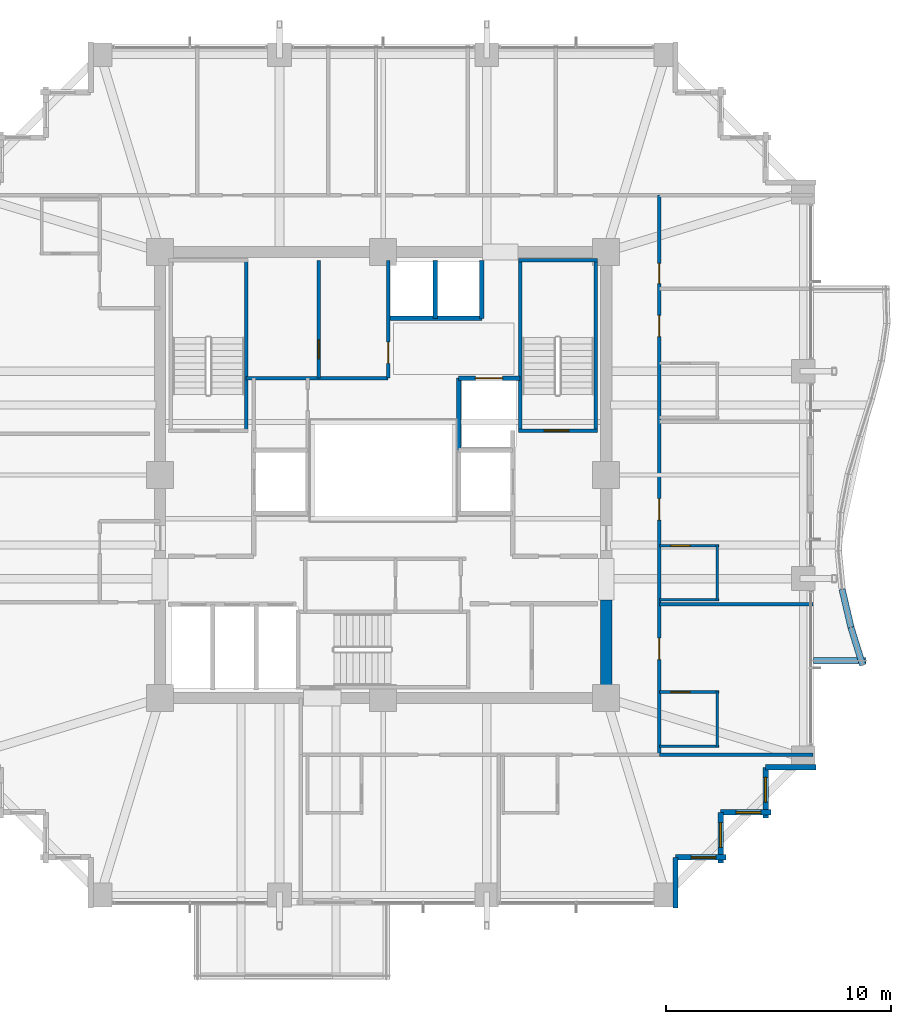
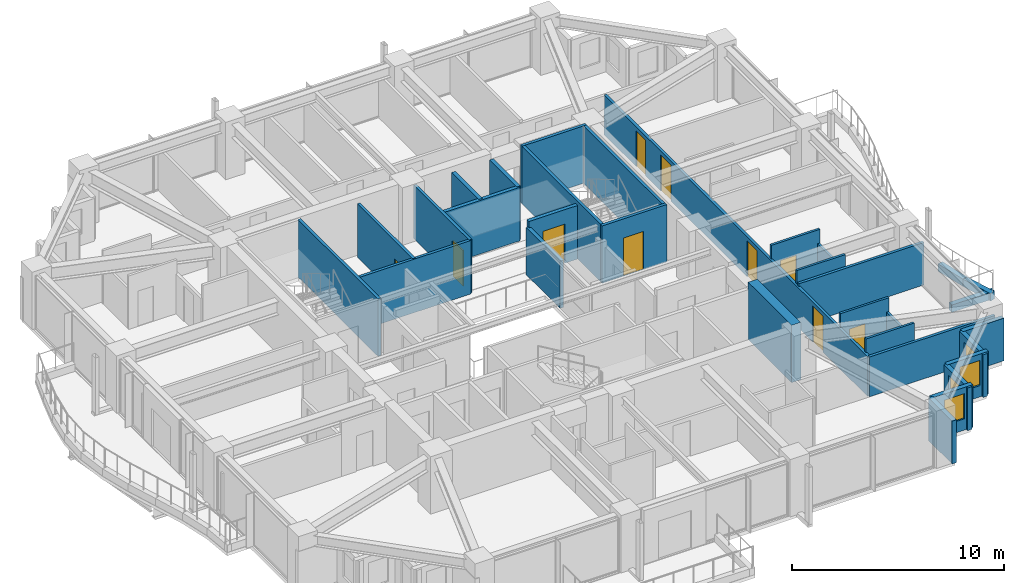
# One storey, part 33 of 38: 32 walls, 10 doors, 4 windows, 14 openings.
"""IFC4 building model written with IfcOpenShell, lengths in metres."""

from ifc_helpers import new_model, si_unit, direction, frame, frame_2d, origin, place, context, subcontext, project, spatial, rectangle, extrude, material, layer, layer_set, type_object, element, fill, save


model = new_model("IFC4")

# Units and contexts
model_context = context("Model", 3, precision=1e-05, world=origin(), true_north=direction((0.0, 1.0)))
body_context = subcontext(model_context, "Body", "Model", "MODEL_VIEW")
ifc_project = project(units=[si_unit("LENGTHUNIT", "METRE"), si_unit("AREAUNIT", "SQUARE_METRE"), si_unit("VOLUMEUNIT", "CUBIC_METRE"), si_unit("PLANEANGLEUNIT", "RADIAN"), si_unit("MASSUNIT", "GRAM", prefix="KILO")], contexts=[model_context])

# Site, building, storey
site_placement = place(None, origin())
site = spatial("IfcSite", under=ifc_project, at=site_placement, CompositionType="ELEMENT")
building_placement = place(site_placement, origin())
building = spatial("IfcBuilding", under=site, at=building_placement, Name="Kolvaren Belvedere", CompositionType="ELEMENT")
storey_placement = place(building_placement, frame((0.0, 0.0, 121.699951171875)))
storey = spatial("IfcBuildingStorey", under=building, at=storey_placement, Name="L35", CompositionType="ELEMENT", Elevation=121.699951171875)

# Walls
ifc_material_1 = material(Name="Concrete C50/60", Category="concrete")
ifc_layer_1 = layer(ifc_material_1, 0.5)
ifc_layer_set_1 = layer_set([ifc_layer_1], Name="Concrete C50/60")
wall_type_1 = type_object("IfcWallType", Name="CW-CORE-500", PredefinedType="SHEAR", material=ifc_layer_set_1)
wall_1_placement = place(storey_placement, frame((9.89990234375, -9.64990234375, 0.0), z_axis=(0.0, 0.0, 1.0), x_axis=(0.0, 1.0, 0.0)))
element("IfcWall", 1, at=wall_1_placement, inside=storey, type_object=wall_type_1, Name="L35 East Core Shear Wall 1", PredefinedType="SHEAR", context=body_context, shape_type="SweptSolid", body=[
    extrude(rectangle(XDim=4.099853515625, YDim=0.5, at=frame_2d((2.0498046875, 0.0))), origin(), (0.0, 0.0, 1.0), 3.300048828125),
])
ifc_material_2 = material(Name="Concrete C50/60", Category="concrete")
ifc_layer_2 = layer(ifc_material_2, 0.159912109375)
ifc_layer_set_2 = layer_set([ifc_layer_2], Name="Concrete C50/60")
wall_type_2 = type_object("IfcWallType", Name="CW-STAIR-160", PredefinedType="SHEAR", material=ifc_layer_set_2)
wall_2_placement = place(storey_placement, frame((-6.080078125, 1.969970703125, 0.0), z_axis=(0.0, 0.0, 1.0), x_axis=(0.0, 1.0, 0.0)))
element("IfcWall", 2, at=wall_2_placement, inside=storey, type_object=wall_type_2, Name="L35 Stair ST-1 East Shear Wall", PredefinedType="SHEAR", context=body_context, shape_type="SweptSolid", body=[
    extrude(rectangle(XDim=7.56005859375, YDim=0.159912109375, at=frame_2d((3.780029296875, 0.0))), origin(), (0.0, 0.0, 1.0), 3.300048828125),
])

# Wall, opening, door
wall_3_placement = place(storey_placement, frame((6.0, 1.969970703125, 0.0), z_axis=(0.0, 0.0, 1.0), x_axis=(1.0, 0.0, 0.0)))
wall_3 = element("IfcWall", 3, at=wall_3_placement, inside=storey, type_object=wall_type_2, Name="L35 Stair ST-2 South Shear Wall", PredefinedType="SHEAR", context=body_context, shape_type="SweptSolid", body=[
    extrude(rectangle(XDim=3.52001953125, YDim=0.159912109375, at=frame_2d((1.760009765625, 0.0))), origin(), (0.0, 0.0, 1.0), 3.300048828125),
])
opening_1_placement = place(wall_3_placement, frame((1.14990234375, 0.0, 0.0)))
opening_1 = element("IfcOpeningElement", 4, at=opening_1_placement, cuts=wall_3, Name="Opening D-FD90", PredefinedType="OPENING", context=body_context, shape_type="SweptSolid", body=[
    extrude(rectangle(XDim=1.10009765625, YDim=2.199951171875, at=frame_2d((0.550048828125, 1.10009765625))), frame((0.0, 0.08984375, 0.0), z_axis=(0.0, -1.0, 0.0), x_axis=(1.0, 0.0, 0.0)), (0.0, 0.0, 1.0), 0.179931640625),
])
ifc_material_3 = material(Name="Painted hollow stainless steel", Category="steel")
door_type_1 = type_object("IfcDoorType", Name="DR-FD90-1100", OperationType="NOTDEFINED", PredefinedType="DOOR", material=ifc_material_3)
door_1_placement = place(opening_1_placement, origin())
door_1 = element("IfcDoor", 5, at=door_1_placement, inside=storey, type_object=door_type_1, Name="L35 Stair ST-2 Fire Door", OperationType="SINGLE_SWING_RIGHT", OverallHeight=2.199951171875, OverallWidth=1.10009765625, PredefinedType="DOOR", context=body_context, shape_type="SweptSolid", body=[
    extrude(rectangle(XDim=1.10009765625, YDim=2.199951171875, at=frame_2d((0.550048828125, 1.10009765625))), frame((0.0, 0.02490234375, 0.0), z_axis=(0.0, -1.0, 0.0), x_axis=(1.0, 0.0, 0.0)), (0.0, 0.0, 1.0), 0.050048828125),
])
fill(opening_1, door_1)

# Walls
wall_4_placement = place(storey_placement, frame((6.0, 9.530029296875, 0.0), z_axis=(0.0, 0.0, 1.0), x_axis=(1.0, 0.0, 0.0)))
element("IfcWall", 6, at=wall_4_placement, inside=storey, type_object=wall_type_2, Name="L35 Stair ST-2 North Shear Wall", PredefinedType="SHEAR", context=body_context, shape_type="SweptSolid", body=[
    extrude(rectangle(XDim=3.52001953125, YDim=0.159912109375, at=frame_2d((1.760009765625, 0.0))), origin(), (0.0, 0.0, 1.0), 3.300048828125),
])
for number, where, z_axis, x_axis, name in (
    (7, (6.080078125, 1.969970703125, 0.0), (0.0, 0.0, 1.0), (0.0, 1.0, 0.0), "L35 Stair ST-2 West Shear Wall"),
    (8, (9.429931640625, 1.969970703125, 0.0), (0.0, 0.0, 1.0), (0.0, 1.0, 0.0), "L35 Stair ST-2 East Shear Wall"),
):
    element("IfcWall", number, at=place(storey_placement, frame(where, z_axis=z_axis, x_axis=x_axis)), inside=storey, type_object=wall_type_2, Name=name, PredefinedType="SHEAR", context=body_context, shape_type="SweptSolid", body=[
        extrude(rectangle(XDim=7.56005859375, YDim=0.159912109375, at=frame_2d((3.780029296875, 0.0))), origin(), (0.0, 0.0, 1.0), 3.300048828125),
    ])

# Wall, openings, doors
ifc_material_4 = material(Name="Gypsum fire-rated partition assembly", Category="gypsum")
ifc_layer_3 = layer(ifc_material_4, 0.14990234375)
ifc_layer_set_3 = layer_set([ifc_layer_3], Name="Gypsum fire-rated partition assembly")
wall_type_3 = type_object("IfcWallType", Name="WL-CORR-150", PredefinedType="PARTITIONING", material=ifc_layer_set_3)
wall_5_placement = place(storey_placement, frame((12.260009765625, -12.419921875, 0.0), z_axis=(0.0, 0.0, 1.0), x_axis=(0.0, 1.0, 0.0)))
wall_5 = element("IfcWall", 9, at=wall_5_placement, inside=storey, type_object=wall_type_3, Name="L35 East Corridor Wall", PredefinedType="PARTITIONING", context=body_context, shape_type="SweptSolid", body=[
    extrude(rectangle(XDim=24.83984375, YDim=0.14990234375, at=frame_2d((12.419921875, 0.0))), origin(), (0.0, 0.0, 1.0), 2.2919921875),
])
opening_2_placement = place(wall_5_placement, frame((4.223876953125, 0.0, 0.0)))
opening_2 = element("IfcOpeningElement", 10, at=opening_2_placement, cuts=wall_5, Name="Opening D-FD60", PredefinedType="OPENING", context=body_context, shape_type="SweptSolid", body=[
    extrude(rectangle(XDim=0.949951171875, YDim=2.06005859375, at=frame_2d((0.47509765625, 1.030029296875))), frame((0.0, 0.0849609375, 0.0), z_axis=(0.0, -1.0, 0.0), x_axis=(1.0, 0.0, 0.0)), (0.0, 0.0, 1.0), 0.169921875),
])
opening_3_placement = place(wall_5_placement, frame((10.41748046875, 0.0, 0.0)))
opening_3 = element("IfcOpeningElement", 11, at=opening_3_placement, cuts=wall_5, Name="Opening D-FD60", PredefinedType="OPENING", context=body_context, shape_type="SweptSolid", body=[
    extrude(rectangle(XDim=0.949951171875, YDim=2.06005859375, at=frame_2d((0.47509765625, 1.030029296875))), frame((0.0, 0.0849609375, 0.0), z_axis=(0.0, -1.0, 0.0), x_axis=(1.0, 0.0, 0.0)), (0.0, 0.0, 1.0), 0.169921875),
])
opening_4_placement = place(wall_5_placement, frame((18.5556640625, 0.0, 0.0)))
opening_4 = element("IfcOpeningElement", 12, at=opening_4_placement, cuts=wall_5, Name="Opening D-FD60", PredefinedType="OPENING", context=body_context, shape_type="SweptSolid", body=[
    extrude(rectangle(XDim=0.949951171875, YDim=2.06005859375, at=frame_2d((0.47509765625, 1.030029296875))), frame((0.0, 0.0849609375, 0.0), z_axis=(0.0, -1.0, 0.0), x_axis=(1.0, 0.0, 0.0)), (0.0, 0.0, 1.0), 0.169921875),
])
opening_5_placement = place(wall_5_placement, frame((20.91552734375, 0.0, 0.0)))
opening_5 = element("IfcOpeningElement", 13, at=opening_5_placement, cuts=wall_5, Name="Opening D-INT90", PredefinedType="OPENING", context=body_context, shape_type="SweptSolid", body=[
    extrude(rectangle(XDim=0.89990234375, YDim=2.06005859375, at=frame_2d((0.449951171875, 1.030029296875))), frame((0.0, 0.0849609375, 0.0), z_axis=(0.0, -1.0, 0.0), x_axis=(1.0, 0.0, 0.0)), (0.0, 0.0, 1.0), 0.169921875),
])
ifc_material_5 = material(Name="Acoustic white-oak fire door leaf", Category="timber")
door_type_2 = type_object("IfcDoorType", Name="DR-FD60-950", OperationType="NOTDEFINED", PredefinedType="DOOR", material=ifc_material_5)
door_2_placement = place(opening_2_placement, origin())
door_2 = element("IfcDoor", 14, at=door_2_placement, inside=storey, type_object=door_type_2, Name="L35 Botanical Hospitality Suite 3505 Entry Door", OperationType="SINGLE_SWING_LEFT", OverallHeight=2.06005859375, OverallWidth=0.949951171875, PredefinedType="DOOR", context=body_context, shape_type="SweptSolid", body=[
    extrude(rectangle(XDim=0.949951171875, YDim=2.06005859375, at=frame_2d((0.47509765625, 1.030029296875))), frame((0.0, 0.02490234375, 0.0), z_axis=(0.0, -1.0, 0.0), x_axis=(1.0, 0.0, 0.0)), (0.0, 0.0, 1.0), 0.050048828125),
])
fill(opening_2, door_2)
door_3_placement = place(opening_3_placement, origin())
door_3 = element("IfcDoor", 15, at=door_3_placement, inside=storey, type_object=door_type_2, Name="L35 King Guest Room 3506 Entry Door", OperationType="SINGLE_SWING_LEFT", OverallHeight=2.06005859375, OverallWidth=0.949951171875, PredefinedType="DOOR", context=body_context, shape_type="SweptSolid", body=[
    extrude(rectangle(XDim=0.949951171875, YDim=2.06005859375, at=frame_2d((0.47509765625, 1.030029296875))), frame((0.0, 0.02490234375, 0.0), z_axis=(0.0, -1.0, 0.0), x_axis=(1.0, 0.0, 0.0)), (0.0, 0.0, 1.0), 0.050048828125),
])
fill(opening_3, door_3)
door_4_placement = place(opening_4_placement, origin())
door_4 = element("IfcDoor", 16, at=door_4_placement, inside=storey, type_object=door_type_2, Name="L35 Botanical Hospitality Suite 3507 Entry Door", OperationType="SINGLE_SWING_LEFT", OverallHeight=2.06005859375, OverallWidth=0.949951171875, PredefinedType="DOOR", context=body_context, shape_type="SweptSolid", body=[
    extrude(rectangle(XDim=0.949951171875, YDim=2.06005859375, at=frame_2d((0.47509765625, 1.030029296875))), frame((0.0, 0.02490234375, 0.0), z_axis=(0.0, -1.0, 0.0), x_axis=(1.0, 0.0, 0.0)), (0.0, 0.0, 1.0), 0.050048828125),
])
fill(opening_4, door_4)
ifc_material_6 = material(Name="Stained Pacific white oak", Category="timber")
door_type_3 = type_object("IfcDoorType", Name="DR-INT-900", OperationType="NOTDEFINED", PredefinedType="DOOR", material=ifc_material_6)
door_5_placement = place(opening_5_placement, origin())
door_5 = element("IfcDoor", 17, at=door_5_placement, inside=storey, type_object=door_type_3, Name="L35 Lounge 3508 Door", OperationType="SINGLE_SWING_RIGHT", OverallHeight=2.06005859375, OverallWidth=0.89990234375, PredefinedType="DOOR", context=body_context, shape_type="SweptSolid", body=[
    extrude(rectangle(XDim=0.89990234375, YDim=2.06005859375, at=frame_2d((0.449951171875, 1.030029296875))), frame((0.0, 0.02490234375, 0.0), z_axis=(0.0, -1.0, 0.0), x_axis=(1.0, 0.0, 0.0)), (0.0, 0.0, 1.0), 0.050048828125),
])
fill(opening_5, door_5)

# Wall
ifc_material_7 = material(Name="Insulated pale-metal facade wall assembly", Category="aluminium")
ifc_layer_4 = layer(ifc_material_7, 0.239990234375)
ifc_layer_set_4 = layer_set([ifc_layer_4], Name="Insulated pale-metal facade wall assembly")
wall_type_4 = type_object("IfcWallType", Name="WL-EXT-240", PredefinedType="STANDARD", material=ifc_layer_set_4)
wall_6_placement = place(storey_placement, frame((12.97998046875, -16.97998046875, 0.0), z_axis=(0.0, 0.0, 1.0), x_axis=(0.0, -1.0, 0.0)))
element("IfcWall", 18, at=wall_6_placement, inside=storey, type_object=wall_type_4, Name="L35 Serrated Corner Facade Wall 2", PredefinedType="STANDARD", context=body_context, shape_type="SweptSolid", body=[
    extrude(rectangle(XDim=2.239990234375, YDim=0.239990234375, at=frame_2d((1.1201171875, 0.0))), origin(), (0.0, 0.0, 1.0), 2.458984375),
])

# Wall, opening, window
wall_7_placement = place(storey_placement, frame((15.219970703125, -16.97998046875, 0.0), z_axis=(0.0, 0.0, 1.0), x_axis=(-1.0, 0.0, 0.0)))
wall_7 = element("IfcWall", 19, at=wall_7_placement, inside=storey, type_object=wall_type_4, Name="L35 Serrated Corner Facade Wall 3", PredefinedType="STANDARD", context=body_context, shape_type="SweptSolid", body=[
    extrude(rectangle(XDim=2.239990234375, YDim=0.239990234375, at=frame_2d((1.1201171875, 0.0))), origin(), (0.0, 0.0, 1.0), 2.458984375),
])
opening_6_placement = place(wall_7_placement, frame((0.449951171875, 0.0, 0.64990234375)))
opening_6 = element("IfcOpeningElement", 20, at=opening_6_placement, cuts=wall_7, Name="Opening W-1100", PredefinedType="OPENING", context=body_context, shape_type="SweptSolid", body=[
    extrude(rectangle(XDim=1.10009765625, YDim=1.449951171875, at=frame_2d((0.550048828125, 0.72509765625))), frame((0.0, 0.1298828125, 0.0), z_axis=(0.0, -1.0, 0.0), x_axis=(1.0, 0.0, 0.0)), (0.0, 0.0, 1.0), 0.260009765625),
])
ifc_material_8 = material(Name="Low-iron triple insulated glass", Category="glass")
window_type = type_object("IfcWindowType", Name="WN-CORN-1100", PartitioningType="SINGLE_PANEL", PredefinedType="WINDOW", material=ifc_material_8)
window_1_placement = place(opening_6_placement, origin())
window_1 = element("IfcWindow", 21, at=window_1_placement, inside=storey, type_object=window_type, Name="L35 Serrated Corner Vision Window 3", OverallHeight=1.449951171875, OverallWidth=1.10009765625, PartitioningType="SINGLE_PANEL", PredefinedType="WINDOW", context=body_context, shape_type="SweptSolid", body=[
    extrude(rectangle(XDim=1.10009765625, YDim=1.449951171875, at=frame_2d((0.550048828125, 0.72509765625))), frame((0.0, 0.030029296875, 0.0), z_axis=(0.0, -1.0, 0.0), x_axis=(1.0, 0.0, 0.0)), (0.0, 0.0, 1.0), 0.06005859375),
])
fill(opening_6, window_1)

wall_8_placement = place(storey_placement, frame((14.97998046875, -14.97998046875, 0.0), z_axis=(0.0, 0.0, 1.0), x_axis=(0.0, -1.0, 0.0)))
wall_8 = element("IfcWall", 22, at=wall_8_placement, inside=storey, type_object=wall_type_4, Name="L35 Serrated Corner Facade Wall 4", PredefinedType="STANDARD", context=body_context, shape_type="SweptSolid", body=[
    extrude(rectangle(XDim=2.239990234375, YDim=0.239990234375, at=frame_2d((1.1201171875, 0.0))), origin(), (0.0, 0.0, 1.0), 2.458984375),
])
opening_7_placement = place(wall_8_placement, frame((0.449951171875, 0.0, 0.64990234375)))
opening_7 = element("IfcOpeningElement", 23, at=opening_7_placement, cuts=wall_8, Name="Opening W-1100", PredefinedType="OPENING", context=body_context, shape_type="SweptSolid", body=[
    extrude(rectangle(XDim=1.10009765625, YDim=1.449951171875, at=frame_2d((0.550048828125, 0.72509765625))), frame((0.0, 0.1298828125, 0.0), z_axis=(0.0, -1.0, 0.0), x_axis=(1.0, 0.0, 0.0)), (0.0, 0.0, 1.0), 0.260009765625),
])
window_2_placement = place(opening_7_placement, origin())
window_2 = element("IfcWindow", 24, at=window_2_placement, inside=storey, type_object=window_type, Name="L35 Serrated Corner Vision Window 4", OverallHeight=1.449951171875, OverallWidth=1.10009765625, PartitioningType="SINGLE_PANEL", PredefinedType="WINDOW", context=body_context, shape_type="SweptSolid", body=[
    extrude(rectangle(XDim=1.10009765625, YDim=1.449951171875, at=frame_2d((0.550048828125, 0.72509765625))), frame((0.0, 0.030029296875, 0.0), z_axis=(0.0, -1.0, 0.0), x_axis=(1.0, 0.0, 0.0)), (0.0, 0.0, 1.0), 0.06005859375),
])
fill(opening_7, window_2)

wall_9_placement = place(storey_placement, frame((17.219970703125, -14.97998046875, 0.0), z_axis=(0.0, 0.0, 1.0), x_axis=(-1.0, 0.0, 0.0)))
wall_9 = element("IfcWall", 25, at=wall_9_placement, inside=storey, type_object=wall_type_4, Name="L35 Serrated Corner Facade Wall 5", PredefinedType="STANDARD", context=body_context, shape_type="SweptSolid", body=[
    extrude(rectangle(XDim=2.239990234375, YDim=0.239990234375, at=frame_2d((1.1201171875, 0.0))), origin(), (0.0, 0.0, 1.0), 2.458984375),
])
opening_8_placement = place(wall_9_placement, frame((0.449951171875, 0.0, 0.64990234375)))
opening_8 = element("IfcOpeningElement", 26, at=opening_8_placement, cuts=wall_9, Name="Opening W-1100", PredefinedType="OPENING", context=body_context, shape_type="SweptSolid", body=[
    extrude(rectangle(XDim=1.10009765625, YDim=1.449951171875, at=frame_2d((0.550048828125, 0.72509765625))), frame((0.0, 0.1298828125, 0.0), z_axis=(0.0, -1.0, 0.0), x_axis=(1.0, 0.0, 0.0)), (0.0, 0.0, 1.0), 0.260009765625),
])
window_3_placement = place(opening_8_placement, origin())
window_3 = element("IfcWindow", 27, at=window_3_placement, inside=storey, type_object=window_type, Name="L35 Serrated Corner Vision Window 5", OverallHeight=1.449951171875, OverallWidth=1.10009765625, PartitioningType="SINGLE_PANEL", PredefinedType="WINDOW", context=body_context, shape_type="SweptSolid", body=[
    extrude(rectangle(XDim=1.10009765625, YDim=1.449951171875, at=frame_2d((0.550048828125, 0.72509765625))), frame((0.0, 0.030029296875, 0.0), z_axis=(0.0, -1.0, 0.0), x_axis=(1.0, 0.0, 0.0)), (0.0, 0.0, 1.0), 0.06005859375),
])
fill(opening_8, window_3)

wall_10_placement = place(storey_placement, frame((16.97998046875, -12.97998046875, 0.0), z_axis=(0.0, 0.0, 1.0), x_axis=(0.0, -1.0, 0.0)))
wall_10 = element("IfcWall", 28, at=wall_10_placement, inside=storey, type_object=wall_type_4, Name="L35 Serrated Corner Facade Wall 6", PredefinedType="STANDARD", context=body_context, shape_type="SweptSolid", body=[
    extrude(rectangle(XDim=2.239990234375, YDim=0.239990234375, at=frame_2d((1.1201171875, 0.0))), origin(), (0.0, 0.0, 1.0), 2.458984375),
])
opening_9_placement = place(wall_10_placement, frame((0.449951171875, 0.0, 0.64990234375)))
opening_9 = element("IfcOpeningElement", 29, at=opening_9_placement, cuts=wall_10, Name="Opening W-1100", PredefinedType="OPENING", context=body_context, shape_type="SweptSolid", body=[
    extrude(rectangle(XDim=1.10009765625, YDim=1.449951171875, at=frame_2d((0.550048828125, 0.72509765625))), frame((0.0, 0.1298828125, 0.0), z_axis=(0.0, -1.0, 0.0), x_axis=(1.0, 0.0, 0.0)), (0.0, 0.0, 1.0), 0.260009765625),
])
window_4_placement = place(opening_9_placement, origin())
window_4 = element("IfcWindow", 30, at=window_4_placement, inside=storey, type_object=window_type, Name="L35 Serrated Corner Vision Window 6", OverallHeight=1.449951171875, OverallWidth=1.10009765625, PartitioningType="SINGLE_PANEL", PredefinedType="WINDOW", context=body_context, shape_type="SweptSolid", body=[
    extrude(rectangle(XDim=1.10009765625, YDim=1.449951171875, at=frame_2d((0.550048828125, 0.72509765625))), frame((0.0, 0.030029296875, 0.0), z_axis=(0.0, -1.0, 0.0), x_axis=(1.0, 0.0, 0.0)), (0.0, 0.0, 1.0), 0.06005859375),
])
fill(opening_9, window_4)

# Walls
wall_11_placement = place(storey_placement, frame((19.219970703125, -12.97998046875, 0.0), z_axis=(0.0, 0.0, 1.0), x_axis=(-1.0, 0.0, 0.0)))
element("IfcWall", 31, at=wall_11_placement, inside=storey, type_object=wall_type_4, Name="L35 Serrated Corner Facade Wall 7", PredefinedType="STANDARD", context=body_context, shape_type="SweptSolid", body=[
    extrude(rectangle(XDim=2.239990234375, YDim=0.239990234375, at=frame_2d((1.1201171875, 0.0))), origin(), (0.0, 0.0, 1.0), 2.458984375),
])
ifc_material_9 = material(Name="Gypsum acoustic partition assembly", Category="gypsum")
ifc_layer_5 = layer(ifc_material_9, 0.14990234375)
ifc_layer_set_5 = layer_set([ifc_layer_5], Name="Gypsum acoustic partition assembly")
wall_type_5 = type_object("IfcWallType", Name="WL-PART-150", PredefinedType="PARTITIONING", material=ifc_layer_set_5)
wall_12_placement = place(storey_placement, frame((-6.080078125, 4.300048828125, 0.0), z_axis=(0.0, 0.0, 1.0), x_axis=(1.0, 0.0, 0.0)))
element("IfcWall", 32, at=wall_12_placement, inside=storey, type_object=wall_type_5, Name="L35 Reclaimed Salon South Wall", PredefinedType="PARTITIONING", context=body_context, shape_type="SweptSolid", body=[
    extrude(rectangle(XDim=6.300048828125, YDim=0.14990234375, at=frame_2d((3.14990234375, 0.0))), origin(), (0.0, 0.0, 1.0), 3.080078125),
])

# Wall, opening, door
wall_13_placement = place(storey_placement, frame((0.219970703125, 4.300048828125, 0.0), z_axis=(0.0, 0.0, 1.0), x_axis=(0.0, 1.0, 0.0)))
wall_13 = element("IfcWall", 33, at=wall_13_placement, inside=storey, type_object=wall_type_5, Name="L35 Reclaimed Salon East Wall", PredefinedType="PARTITIONING", context=body_context, shape_type="SweptSolid", body=[
    extrude(rectangle(XDim=5.219970703125, YDim=0.14990234375, at=frame_2d((2.60986328125, 0.0))), origin(), (0.0, 0.0, 1.0), 3.080078125),
])
opening_10_placement = place(wall_13_placement, frame((0.64990234375, 0.0, 0.0)))
opening_10 = element("IfcOpeningElement", 34, at=opening_10_placement, cuts=wall_13, Name="Opening D-INT95", PredefinedType="OPENING", context=body_context, shape_type="SweptSolid", body=[
    extrude(rectangle(XDim=0.949951171875, YDim=2.06005859375, at=frame_2d((0.47509765625, 1.030029296875))), frame((0.0, 0.0849609375, 0.0), z_axis=(0.0, -1.0, 0.0), x_axis=(1.0, 0.0, 0.0)), (0.0, 0.0, 1.0), 0.169921875),
])
ifc_material_10 = material(Name="Stained Pacific white oak", Category="timber")
door_type_4 = type_object("IfcDoorType", Name="DR-INT-950", OperationType="NOTDEFINED", PredefinedType="DOOR", material=ifc_material_10)
door_6_placement = place(opening_10_placement, origin())
door_6 = element("IfcDoor", 35, at=door_6_placement, inside=storey, type_object=door_type_4, Name="L35 Sky Boardroom Door", OperationType="SINGLE_SWING_LEFT", OverallHeight=2.06005859375, OverallWidth=0.949951171875, PredefinedType="DOOR", context=body_context, shape_type="SweptSolid", body=[
    extrude(rectangle(XDim=0.949951171875, YDim=2.06005859375, at=frame_2d((0.47509765625, 1.030029296875))), frame((0.0, 0.02490234375, 0.0), z_axis=(0.0, -1.0, 0.0), x_axis=(1.0, 0.0, 0.0)), (0.0, 0.0, 1.0), 0.050048828125),
])
fill(opening_10, door_6)

wall_14_placement = place(storey_placement, frame((-2.85009765625, 4.300048828125, 0.0), z_axis=(0.0, 0.0, 1.0), x_axis=(0.0, 1.0, 0.0)))
wall_14 = element("IfcWall", 36, at=wall_14_placement, inside=storey, type_object=wall_type_5, Name="L35 Reclaimed Salon Divider", PredefinedType="PARTITIONING", context=body_context, shape_type="SweptSolid", body=[
    extrude(rectangle(XDim=5.219970703125, YDim=0.14990234375, at=frame_2d((2.60986328125, 0.0))), origin(), (0.0, 0.0, 1.0), 3.080078125),
])
opening_11_placement = place(wall_14_placement, frame((0.85009765625, 0.0, 0.0)))
opening_11 = element("IfcOpeningElement", 37, at=opening_11_placement, cuts=wall_14, Name="Opening D-INT85", PredefinedType="OPENING", context=body_context, shape_type="SweptSolid", body=[
    extrude(rectangle(XDim=0.85009765625, YDim=2.030029296875, at=frame_2d((0.425048828125, 1.01513671875))), frame((0.0, 0.0849609375, 0.0), z_axis=(0.0, -1.0, 0.0), x_axis=(1.0, 0.0, 0.0)), (0.0, 0.0, 1.0), 0.169921875),
])
ifc_material_11 = material(Name="Stained Pacific white oak", Category="timber")
door_type_5 = type_object("IfcDoorType", Name="DR-INT-850", OperationType="NOTDEFINED", PredefinedType="DOOR", material=ifc_material_11)
door_7_placement = place(opening_11_placement, origin())
door_7 = element("IfcDoor", 38, at=door_7_placement, inside=storey, type_object=door_type_5, Name="L35 Beverage Pantry Door", OperationType="SINGLE_SWING_RIGHT", OverallHeight=2.030029296875, OverallWidth=0.85009765625, PredefinedType="DOOR", context=body_context, shape_type="SweptSolid", body=[
    extrude(rectangle(XDim=0.85009765625, YDim=2.030029296875, at=frame_2d((0.425048828125, 1.01513671875))), frame((0.0, 0.02490234375, 0.0), z_axis=(0.0, -1.0, 0.0), x_axis=(1.0, 0.0, 0.0)), (0.0, 0.0, 1.0), 0.050048828125),
])
fill(opening_11, door_7)

# Walls
wall_15_placement = place(storey_placement, frame((12.260009765625, -12.419921875, 0.0), z_axis=(0.0, 0.0, 1.0), x_axis=(1.0, 0.0, 0.0)))
element("IfcWall", 39, at=wall_15_placement, inside=storey, type_object=wall_type_5, Name="L35 Wing Divider PW-L35-QSE", PredefinedType="PARTITIONING", context=body_context, shape_type="SweptSolid", body=[
    extrude(rectangle(XDim=6.820068359375, YDim=0.14990234375, at=frame_2d((3.41015625, 0.0))), origin(), (0.0, 0.0, 1.0), 2.2919921875),
])
wall_16_placement = place(storey_placement, frame((12.260009765625, -5.739990234375, 0.0), z_axis=(0.0, 0.0, 1.0), x_axis=(1.0, 0.0, 0.0)))
element("IfcWall", 40, at=wall_16_placement, inside=storey, type_object=wall_type_5, Name="L35 East Suite Demising Wall 1", PredefinedType="PARTITIONING", context=body_context, shape_type="SweptSolid", body=[
    extrude(rectangle(XDim=6.820068359375, YDim=0.14990234375, at=frame_2d((3.41015625, 0.0))), origin(), (0.0, 0.0, 1.0), 2.448974609375),
])
ifc_material_12 = material(Name="Precast concrete C40/50", Category="concrete")
ifc_layer_6 = layer(ifc_material_12, 0.300048828125)
ifc_layer_set_6 = layer_set([ifc_layer_6], Name="Precast concrete C40/50")
wall_type_6 = type_object("IfcWallType", Name="WL-PLANTER-300", PredefinedType="PARAPET", material=ifc_layer_set_6)
wall_17_placement = place(storey_placement, frame((21.287109375, -8.447265625, -0.0400390625), z_axis=(0.0, 0.0, 1.0), x_axis=(-0.295831524561, 0.95524013163, 0.0)))
element("IfcWall", 41, at=wall_17_placement, inside=storey, type_object=wall_type_6, Name="L35 Precast Structural Planter Wall BAL-E-1", PredefinedType="PARAPET", context=body_context, shape_type="SweptSolid", body=[
    extrude(rectangle(XDim=1.758544921875, YDim=0.280029296875, at=frame_2d((0.87939453125, 0.0))), origin(), (0.0, 0.0, 1.0), 0.420166015625),
])
wall_18_placement = place(storey_placement, frame((20.763916015625, -6.75634765625, -0.0400390625), z_axis=(0.0, 0.0, 1.0), x_axis=(-0.227019323824, 0.973890253884, 0.0)))
element("IfcWall", 42, at=wall_18_placement, inside=storey, type_object=wall_type_6, Name="L35 Precast Structural Planter Wall BAL-E-2", PredefinedType="PARAPET", context=body_context, shape_type="SweptSolid", body=[
    extrude(rectangle(XDim=1.724853515625, YDim=0.280029296875, at=frame_2d((0.8623046875, 0.0))), origin(), (0.0, 0.0, 1.0), 0.420166015625),
])
wall_19_placement = place(storey_placement, frame((19.10009765625, -8.239990234375, -0.0400390625), z_axis=(0.0, 0.0, 1.0), x_axis=(1.0, 0.0, 0.0)))
element("IfcWall", 43, at=wall_19_placement, inside=storey, type_object=wall_type_6, Name="L35 Precast Structural Planter Wall BAL-E-22", PredefinedType="PARAPET", context=body_context, shape_type="SweptSolid", body=[
    extrude(rectangle(XDim=2.33984375, YDim=0.280029296875, at=frame_2d((1.169921875, 0.0))), origin(), (0.0, 0.0, 1.0), 0.420166015625),
])

# Wall, opening, door
ifc_material_13 = material(Name="Concrete C50/60", Category="concrete")
ifc_layer_7 = layer(ifc_material_13, 0.199951171875)
ifc_layer_set_7 = layer_set([ifc_layer_7], Name="Concrete C50/60")
wall_type_7 = type_object("IfcWallType", Name="WL-SHAFT-200", PredefinedType="SOLIDWALL", material=ifc_layer_set_7)
wall_20_placement = place(storey_placement, frame((3.35009765625, 4.300048828125, 0.0), z_axis=(0.0, 0.0, 1.0), x_axis=(1.0, 0.0, 0.0)))
wall_20 = element("IfcWall", 44, at=wall_20_placement, inside=storey, type_object=wall_type_7, Name="L35 Service Lift SV1 Front Wall", PredefinedType="SOLIDWALL", context=body_context, shape_type="SweptSolid", body=[
    extrude(rectangle(XDim=2.72998046875, YDim=0.199951171875, at=frame_2d((1.364990234375, 0.0))), origin(), (0.0, 0.0, 1.0), 3.080078125),
])
opening_12_placement = place(wall_20_placement, frame((0.75, 0.0, 0.0)))
opening_12 = element("IfcOpeningElement", 45, at=opening_12_placement, cuts=wall_20, Name="Opening LD-12", PredefinedType="OPENING", context=body_context, shape_type="SweptSolid", body=[
    extrude(rectangle(XDim=1.199951171875, YDim=2.25, at=frame_2d((0.60009765625, 1.125))), frame((0.0, 0.10986328125, 0.0), z_axis=(0.0, -1.0, 0.0), x_axis=(1.0, 0.0, 0.0)), (0.0, 0.0, 1.0), 0.219970703125),
])
ifc_material_14 = material(Name="Brushed stainless steel", Category="steel")
door_type_6 = type_object("IfcDoorType", Name="DR-LIFT-1200", OperationType="DOUBLE_DOOR_SLIDING", PredefinedType="DOOR", material=ifc_material_14)
door_8_placement = place(opening_12_placement, origin())
door_8 = element("IfcDoor", 46, at=door_8_placement, inside=storey, type_object=door_type_6, Name="L35 Service Lift SV1 Landing Door", OperationType="DOUBLE_DOOR_SLIDING", OverallHeight=2.25, OverallWidth=1.199951171875, PredefinedType="DOOR", context=body_context, shape_type="SweptSolid", body=[
    extrude(rectangle(XDim=1.199951171875, YDim=2.25, at=frame_2d((0.60009765625, 1.125))), frame((0.0, 0.02490234375, 0.0), z_axis=(0.0, -1.0, 0.0), x_axis=(1.0, 0.0, 0.0)), (0.0, 0.0, 1.0), 0.050048828125),
])
fill(opening_12, door_8)

# Walls
wall_21_placement = place(storey_placement, frame((3.35009765625, 1.10009765625, 0.0), z_axis=(0.0, 0.0, 1.0), x_axis=(0.0, 1.0, 0.0)))
element("IfcWall", 47, at=wall_21_placement, inside=storey, type_object=wall_type_7, Name="L35 Service Lift SV1 West Wall", PredefinedType="SOLIDWALL", context=body_context, shape_type="SweptSolid", body=[
    extrude(rectangle(XDim=3.199951171875, YDim=0.199951171875, at=frame_2d((1.60009765625, 0.0))), origin(), (0.0, 0.0, 1.0), 2.715087890625),
])
wall_22_placement = place(storey_placement, frame((0.219970703125, 6.949951171875, 0.0), z_axis=(0.0, 0.0, 1.0), x_axis=(1.0, 0.0, 0.0)))
element("IfcWall", 48, at=wall_22_placement, inside=storey, type_object=wall_type_7, Name="L35 Express Shuttle Hoistway Wall", PredefinedType="SOLIDWALL", context=body_context, shape_type="SweptSolid", body=[
    extrude(rectangle(XDim=4.179931640625, YDim=0.199951171875, at=frame_2d((2.08984375, 0.0))), origin(), (0.0, 0.0, 1.0), 3.080078125),
])
for number, where, z_axis, x_axis, name in (
    (49, (4.3798828125, 6.949951171875, 0.0), (0.0, 0.0, 1.0), (0.0, 1.0, 0.0), "L35 Express Shuttle East Wall"),
    (50, (2.31005859375, 6.949951171875, 0.0), (0.0, 0.0, 1.0), (0.0, 1.0, 0.0), "L35 Express Shuttle Divider"),
):
    element("IfcWall", number, at=place(storey_placement, frame(where, z_axis=z_axis, x_axis=x_axis)), inside=storey, type_object=wall_type_7, Name=name, PredefinedType="SOLIDWALL", context=body_context, shape_type="SweptSolid", body=[
        extrude(rectangle(XDim=2.570068359375, YDim=0.199951171875, at=frame_2d((1.28515625, 0.0))), origin(), (0.0, 0.0, 1.0), 3.080078125),
    ])

# Wall, opening, door
ifc_material_15 = material(Name="Moisture-resistant gypsum partition", Category="gypsum")
ifc_layer_8 = layer(ifc_material_15, 0.125)
ifc_layer_set_8 = layer_set([ifc_layer_8], Name="Moisture-resistant gypsum partition")
wall_type_8 = type_object("IfcWallType", Name="WL-WET-125", PredefinedType="PARTITIONING", material=ifc_layer_set_8)
wall_23_placement = place(storey_placement, frame((12.27490234375, -9.64111328125, 0.0), z_axis=(0.0, 0.0, 1.0), x_axis=(1.0, 0.0, 0.0)))
wall_23 = element("IfcWall", 51, at=wall_23_placement, inside=storey, type_object=wall_type_8, Name="L35 Bathroom Partition PW-L35-BTH-5-N", PredefinedType="PARTITIONING", context=body_context, shape_type="SweptSolid", body=[
    extrude(rectangle(XDim=2.64013671875, YDim=0.125, at=frame_2d((1.320068359375, 0.0))), origin(), (0.0, 0.0, 1.0), 3.080078125),
])
opening_13_placement = place(wall_23_placement, frame((0.5, 0.0, 0.0)))
opening_13 = element("IfcOpeningElement", 52, at=opening_13_placement, cuts=wall_23, Name="Opening D-BTH85", PredefinedType="OPENING", context=body_context, shape_type="SweptSolid", body=[
    extrude(rectangle(XDim=0.85009765625, YDim=2.030029296875, at=frame_2d((0.425048828125, 1.01513671875))), frame((0.0, 0.072509765625, 0.0), z_axis=(0.0, -1.0, 0.0), x_axis=(1.0, 0.0, 0.0)), (0.0, 0.0, 1.0), 0.14501953125),
])
ifc_material_16 = material(Name="Moisture-sealed Pacific white oak", Category="timber")
door_type_7 = type_object("IfcDoorType", Name="DR-BATH-850", OperationType="NOTDEFINED", PredefinedType="DOOR", material=ifc_material_16)
door_9_placement = place(opening_13_placement, origin())
door_9 = element("IfcDoor", 53, at=door_9_placement, inside=storey, type_object=door_type_7, Name="L35 En-Suite Bathroom 3505 Door", OperationType="SINGLE_SWING_RIGHT", OverallHeight=2.030029296875, OverallWidth=0.85009765625, PredefinedType="DOOR", context=body_context, shape_type="SweptSolid", body=[
    extrude(rectangle(XDim=0.85009765625, YDim=2.030029296875, at=frame_2d((0.425048828125, 1.01513671875))), frame((0.0, 0.02490234375, 0.0), z_axis=(0.0, -1.0, 0.0), x_axis=(1.0, 0.0, 0.0)), (0.0, 0.0, 1.0), 0.050048828125),
])
fill(opening_13, door_9)

# Walls
wall_24_placement = place(storey_placement, frame((14.8349609375, -12.10107421875, 0.0), z_axis=(0.0, 0.0, 1.0), x_axis=(0.0, 1.0, 0.0)))
element("IfcWall", 54, at=wall_24_placement, inside=storey, type_object=wall_type_8, Name="L35 Bathroom Partition PW-L35-BTH-5-V", PredefinedType="PARTITIONING", context=body_context, shape_type="SweptSolid", body=[
    extrude(rectangle(XDim=2.52001953125, YDim=0.125, at=frame_2d((1.260009765625, 0.0))), origin(), (0.0, 0.0, 1.0), 2.2919921875),
])
wall_25_placement = place(storey_placement, frame((12.27490234375, -12.041015625, 0.0), z_axis=(0.0, 0.0, 1.0), x_axis=(1.0, 0.0, 0.0)))
element("IfcWall", 55, at=wall_25_placement, inside=storey, type_object=wall_type_8, Name="L35 Bathroom Partition PW-L35-BTH-5-S", PredefinedType="PARTITIONING", context=body_context, shape_type="SweptSolid", body=[
    extrude(rectangle(XDim=2.64013671875, YDim=0.125, at=frame_2d((1.320068359375, 0.0))), origin(), (0.0, 0.0, 1.0), 3.080078125),
])

# Wall, opening, door
wall_26_placement = place(storey_placement, frame((12.27490234375, -3.14501953125, 0.0), z_axis=(0.0, 0.0, 1.0), x_axis=(1.0, 0.0, 0.0)))
wall_26 = element("IfcWall", 56, at=wall_26_placement, inside=storey, type_object=wall_type_8, Name="L35 Bathroom Partition PW-L35-BTH-6-N", PredefinedType="PARTITIONING", context=body_context, shape_type="SweptSolid", body=[
    extrude(rectangle(XDim=2.64013671875, YDim=0.125, at=frame_2d((1.320068359375, 0.0))), origin(), (0.0, 0.0, 1.0), 3.080078125),
])
opening_14_placement = place(wall_26_placement, frame((0.5, 0.0, 0.0)))
opening_14 = element("IfcOpeningElement", 57, at=opening_14_placement, cuts=wall_26, Name="Opening D-BTH85", PredefinedType="OPENING", context=body_context, shape_type="SweptSolid", body=[
    extrude(rectangle(XDim=0.85009765625, YDim=2.030029296875, at=frame_2d((0.425048828125, 1.01513671875))), frame((0.0, 0.072509765625, 0.0), z_axis=(0.0, -1.0, 0.0), x_axis=(1.0, 0.0, 0.0)), (0.0, 0.0, 1.0), 0.14501953125),
])
door_10_placement = place(opening_14_placement, origin())
door_10 = element("IfcDoor", 58, at=door_10_placement, inside=storey, type_object=door_type_7, Name="L35 En-Suite Bathroom 3506 Door", OperationType="SINGLE_SWING_RIGHT", OverallHeight=2.030029296875, OverallWidth=0.85009765625, PredefinedType="DOOR", context=body_context, shape_type="SweptSolid", body=[
    extrude(rectangle(XDim=0.85009765625, YDim=2.030029296875, at=frame_2d((0.425048828125, 1.01513671875))), frame((0.0, 0.02490234375, 0.0), z_axis=(0.0, -1.0, 0.0), x_axis=(1.0, 0.0, 0.0)), (0.0, 0.0, 1.0), 0.050048828125),
])
fill(opening_14, door_10)

# Walls
wall_27_placement = place(storey_placement, frame((14.8349609375, -5.60498046875, 0.0), z_axis=(0.0, 0.0, 1.0), x_axis=(0.0, 1.0, 0.0)))
element("IfcWall", 59, at=wall_27_placement, inside=storey, type_object=wall_type_8, Name="L35 Bathroom Partition PW-L35-BTH-6-V", PredefinedType="PARTITIONING", context=body_context, shape_type="SweptSolid", body=[
    extrude(rectangle(XDim=2.52001953125, YDim=0.125, at=frame_2d((1.260009765625, 0.0))), origin(), (0.0, 0.0, 1.0), 2.2919921875),
])
wall_28_placement = place(storey_placement, frame((12.27490234375, -5.544921875, 0.0), z_axis=(0.0, 0.0, 1.0), x_axis=(1.0, 0.0, 0.0)))
element("IfcWall", 60, at=wall_28_placement, inside=storey, type_object=wall_type_8, Name="L35 Bathroom Partition PW-L35-BTH-6-S", PredefinedType="PARTITIONING", context=body_context, shape_type="SweptSolid", body=[
    extrude(rectangle(XDim=2.64013671875, YDim=0.125, at=frame_2d((1.320068359375, 0.0))), origin(), (0.0, 0.0, 1.0), 3.080078125),
])

save(model, "model.ifc")
